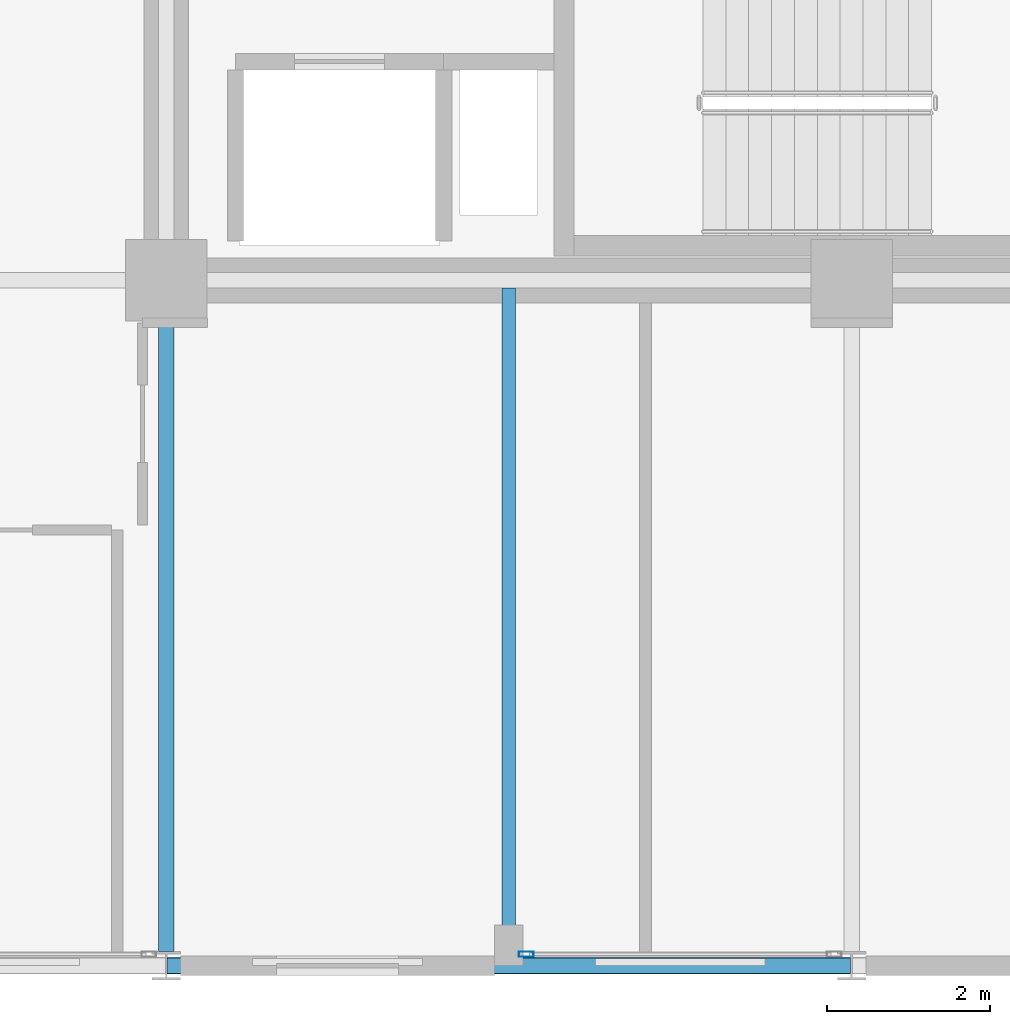
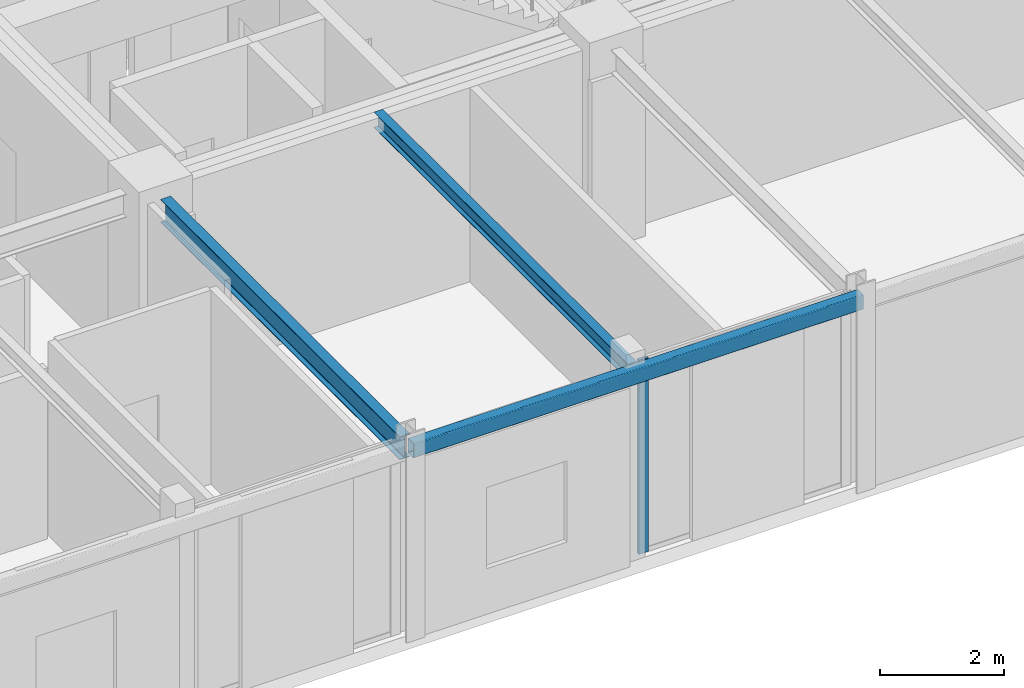
# One storey, part 7 of 29: 3 beams, 1 member, 1 element without a shape of its own.
"""IFC4 building model written with IfcOpenShell, lengths in metres."""

from ifc_helpers import new_model, si_unit, direction, frame, origin, origin_2d, place, context, subcontext, project, spatial, hollow_rectangle, i_section, extrude, material, layer, layer_set, material_profile, profile_set, type_object, element, aggregate, save


model = new_model("IFC4")

# Units and contexts
model_context = context("Model", 3, precision=1e-05, world=origin(), true_north=direction((0.0, 1.0)))
body_context = subcontext(model_context, "Body", "Model", "MODEL_VIEW")
ifc_project = project(units=[si_unit("LENGTHUNIT", "METRE"), si_unit("AREAUNIT", "SQUARE_METRE"), si_unit("VOLUMEUNIT", "CUBIC_METRE"), si_unit("PLANEANGLEUNIT", "RADIAN"), si_unit("MASSUNIT", "GRAM", prefix="KILO")], contexts=[model_context])

# Site, building, storey
site_placement = place(None, origin())
site = spatial("IfcSite", under=ifc_project, at=site_placement, CompositionType="ELEMENT")
building_placement = place(site_placement, origin())
building = spatial("IfcBuilding", under=site, at=building_placement, Name="Nerrivon Quay Data Exchange", CompositionType="ELEMENT")
storey_placement = place(building_placement, frame((0.0, 0.0, 212.39990234375)))
storey = spatial("IfcBuildingStorey", under=building, at=storey_placement, Name="L50", CompositionType="ELEMENT", Elevation=212.39990234375)

# Beams
ifc_material_1 = material(Name="Steel Grade 350", Category="steel")
ifc_material_profile_1 = material_profile(ifc_material_1, i_section(OverallWidth=0.18994140625, OverallDepth=0.4541015625, WebThickness=0.008544921875, FlangeThickness=0.0126953125, FilletRadius=0.011474609375, at=origin_2d()), Name="460UB67.1")
ifc_profile_set_1 = profile_set([ifc_material_profile_1], Name="Steel Grade 350")
beam_type_1 = type_object("IfcBeamType", Name="BM-G6-460UB67", PredefinedType="BEAM", material=ifc_profile_set_1)
beam_1_placement = place(storey_placement, frame((16.800048828125, 0.175048828125, 3.59814453125), z_axis=(0.0, 1.0, 0.0), x_axis=(-1.0, 0.0, 0.0)))
element("IfcBeam", 1, at=beam_1_placement, inside=storey, type_object=beam_type_1, Name="L50 NS Girder X=16.8 (0.0..8.4)", PredefinedType="BEAM", context=body_context, shape_type="SweptSolid", body=[
    extrude(i_section(OverallWidth=0.18994140625, OverallDepth=0.4541015625, WebThickness=0.008544921875, FlangeThickness=0.0126953125, FilletRadius=0.011474609375, at=origin_2d()), origin(), (0.0, 0.0, 1.0), 7.724853515625),
])
ifc_material_profile_2 = material_profile(ifc_material_1, i_section(OverallWidth=0.166015625, OverallDepth=0.306884765625, WebThickness=0.006591796875, FlangeThickness=0.01171875, FilletRadius=0.011474609375, at=origin_2d()), Name="310UB46.2")
ifc_profile_set_2 = profile_set([ifc_material_profile_2], Name="Steel Grade 350")
beam_type_2 = type_object("IfcBeamType", Name="BM-J5-310UB46", PredefinedType="JOIST", material=ifc_profile_set_2)
beam_2_placement = place(storey_placement, frame((21.0, 0.10009765625, 3.671630859375), z_axis=(0.0, 1.0, 0.0), x_axis=(-1.0, 0.0, 0.0)))
element("IfcBeam", 2, at=beam_2_placement, inside=storey, type_object=beam_type_2, Name="L50 Secondary Joist X=21.0 (0.0..8.4)", PredefinedType="JOIST", context=body_context, shape_type="SweptSolid", body=[
    extrude(i_section(OverallWidth=0.166015625, OverallDepth=0.306884765625, WebThickness=0.006591796875, FlangeThickness=0.01171875, FilletRadius=0.011474609375, at=origin_2d()), origin(), (0.0, 0.0, 1.0), 8.204345703125),
])
ifc_material_2 = material(Name="Steel Grade C350L0 (350 MPa)", Category="steel")
ifc_material_profile_3 = material_profile(ifc_material_2, hollow_rectangle(XDim=0.199951171875, YDim=0.300048828125, WallThickness=0.012451171875, InnerFilletRadius=0.018798828125, OuterFilletRadius=0.03125, at=origin_2d()), Name="300x200x12.5RHS")
ifc_profile_set_3 = profile_set([ifc_material_profile_3], Name="Steel Grade C350L0 (350 MPa)")
beam_type_3 = type_object("IfcBeamType", Name="BM-SP3-300x200RHS", PredefinedType="SPANDREL", material=ifc_profile_set_3)
beam_3_placement = place(storey_placement, frame((16.81005859375, 0.0, 3.675048828125), z_axis=(1.0, 0.0, 0.0), x_axis=(0.0, 1.0, 0.0)))
element("IfcBeam", 3, at=beam_3_placement, inside=storey, type_object=beam_type_3, Name="L50 EW Girder Y=0.0 (16.8..25.2)", PredefinedType="SPANDREL", context=body_context, shape_type="SweptSolid", body=[
    extrude(hollow_rectangle(XDim=0.199951171875, YDim=0.300048828125, WallThickness=0.012451171875, InnerFilletRadius=0.018798828125, OuterFilletRadius=0.03125, at=origin_2d()), origin(), (0.0, 0.0, 1.0), 8.3798828125),
])

# Curtain wall, member
ifc_material_3 = material(Name="Anodised aluminium 6063-T6", Category="aluminium")
ifc_layer = layer(ifc_material_3, 0.195068359375)
ifc_layer_set = layer_set([ifc_layer], Name="Anodised aluminium 6063-T6")
curtain_wall_type = type_object("IfcCurtainWallType", Name="CW-SYS-06", PredefinedType="NOTDEFINED", material=ifc_layer_set)
curtain_wall_placement = place(storey_placement, origin())
curtain_wall = element("IfcCurtainWall", 4, at=curtain_wall_placement, inside=storey, type_object=curtain_wall_type, Name="L50 Unitised Curtain Wall 24", PredefinedType="NOTDEFINED")
ifc_material_profile_4 = material_profile(ifc_material_3, hollow_rectangle(XDim=0.06494140625, YDim=0.179931640625, WallThickness=0.00341796875, at=origin_2d()), Name="ALU-MULL-180x65")
ifc_profile_set_4 = profile_set([ifc_material_profile_4], Name="Anodised aluminium 6063-T6")
member_type = type_object("IfcMemberType", Name="CWM-180x65", PredefinedType="MULLION", material=ifc_profile_set_4)
member_placement = place(storey_placement, frame((21.21240234375, 0.139892578125, 0.0), z_axis=(0.0, 0.0, 1.0), x_axis=(0.0, -1.0, 0.0)))
member = element("IfcMember", 5, at=member_placement, type_object=member_type, Name="CW06 mullion 2", PredefinedType="MULLION", context=body_context, shape_type="SweptSolid", body=[
    extrude(hollow_rectangle(XDim=0.06494140625, YDim=0.179931640625, WallThickness=0.00341796875, at=origin_2d()), origin(), (0.0, 0.0, 1.0), 3.8251953125),
])
aggregate(curtain_wall, [member])

save(model, "model.ifc")
